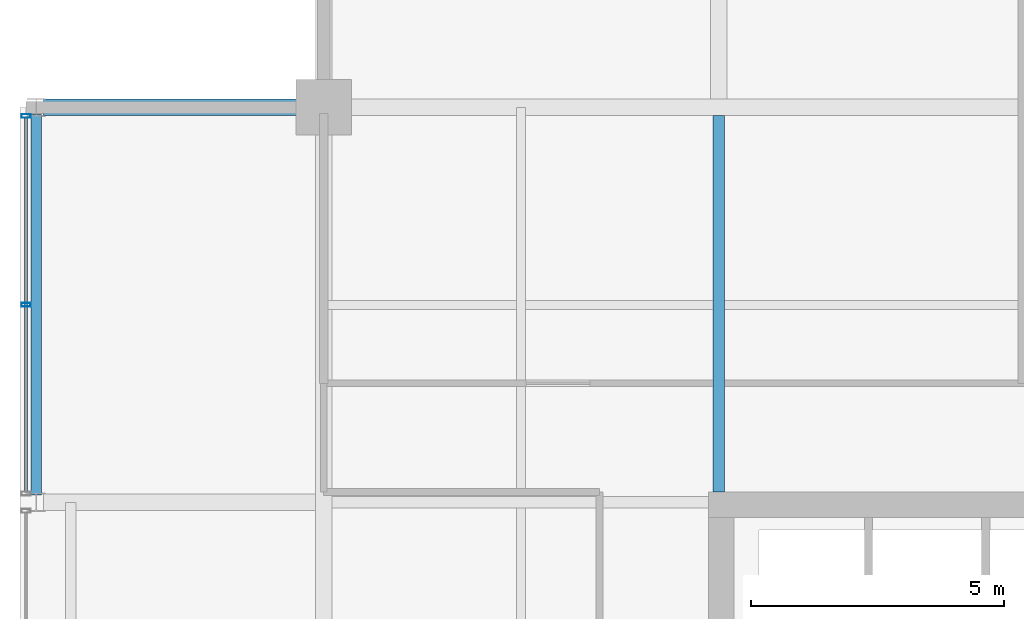
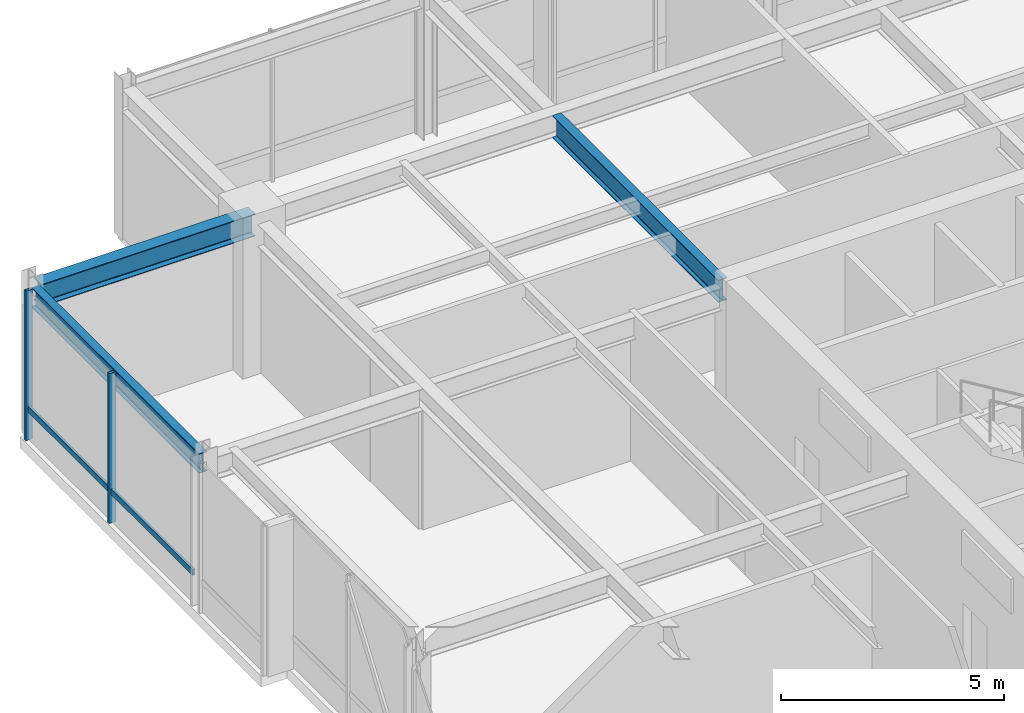
# One storey, part 21 of 34: 3 beams, 3 members, 1 element without a shape of its own.
"""IFC4 building model written with IfcOpenShell, lengths in metres."""

from ifc_helpers import new_model, si_unit, direction, frame, origin, origin_2d, place, context, subcontext, project, spatial, hollow_rectangle, i_section, extrude, material, layer, layer_set, material_profile, profile_set, type_object, element, aggregate, save


model = new_model("IFC4")

# Units and contexts
model_context = context("Model", 3, precision=1e-05, world=origin(), true_north=direction((0.0, 1.0)))
body_context = subcontext(model_context, "Body", "Model", "MODEL_VIEW")
ifc_project = project(units=[si_unit("LENGTHUNIT", "METRE"), si_unit("AREAUNIT", "SQUARE_METRE"), si_unit("VOLUMEUNIT", "CUBIC_METRE"), si_unit("PLANEANGLEUNIT", "RADIAN"), si_unit("MASSUNIT", "GRAM", prefix="KILO")], contexts=[model_context])

# Site, building, storey
site_placement = place(None, origin())
site = spatial("IfcSite", under=ifc_project, at=site_placement, CompositionType="ELEMENT")
building_placement = place(site_placement, origin())
building = spatial("IfcBuilding", under=site, at=building_placement, Name="Drelvath Grand Hotel", CompositionType="ELEMENT")
storey_placement = place(building_placement, frame((0.0, 0.0, 294.199951171875)))
storey = spatial("IfcBuildingStorey", under=building, at=storey_placement, Name="L77", CompositionType="ELEMENT", Elevation=294.199951171875)

# Curtain wall, members
ifc_material_1 = material(Name="Platinum-Mist Anodised Aluminium Frame", Category="aluminium")
ifc_layer = layer(ifc_material_1, 0.199951171875)
ifc_layer_set = layer_set([ifc_layer], Name="Platinum-Mist Anodised Aluminium Frame")
curtain_wall_type = type_object("IfcCurtainWallType", Name="Stick Curtain Wall CW-05 Platinum Mist High-Rise", PredefinedType="NOTDEFINED", material=ifc_layer_set)
curtain_wall_placement = place(storey_placement, origin())
curtain_wall = element("IfcCurtainWall", 1, at=curtain_wall_placement, inside=storey, type_object=curtain_wall_type, Name="L77 CW-05 Curtain Wall CW05-L77-WN2", PredefinedType="NOTDEFINED")
ifc_material_profile_1 = material_profile(ifc_material_1, hollow_rectangle(XDim=0.06494140625, YDim=0.159912109375, WallThickness=0.00390625, at=origin_2d()), Name="HSS160X65X4")
ifc_profile_set_1 = profile_set([ifc_material_profile_1], Name="Platinum-Mist Anodised Aluminium Frame")
member_type_1 = type_object("IfcMemberType", Name="Curtain Wall Horizontal Transom CW-05 HSS160X65X4", PredefinedType="USERDEFINED", material=ifc_profile_set_1)
member_1_placement = place(storey_placement, frame((-22.080078125, 35.610107421875, 0.85009765625), z_axis=(0.0, 1.0, 0.0), x_axis=(-1.0, 0.0, 0.0)))
member_1 = element("IfcMember", 2, at=member_1_placement, type_object=member_type_1, Name="CW05-L77-WN2 Sill Transom", ObjectType="TRANSOM", PredefinedType="USERDEFINED", context=body_context, shape_type="SweptSolid", body=[
    extrude(hollow_rectangle(XDim=0.06494140625, YDim=0.159912109375, WallThickness=0.00390625, at=origin_2d()), origin(), (0.0, 0.0, 1.0), 7.3798828125),
])
ifc_material_profile_2 = material_profile(ifc_material_1, hollow_rectangle(XDim=0.074951171875, YDim=0.179931640625, WallThickness=0.0048828125, at=origin_2d()), Name="HSS180X75X5")
ifc_profile_set_2 = profile_set([ifc_material_profile_2], Name="Platinum-Mist Anodised Aluminium Frame")
member_type_2 = type_object("IfcMemberType", Name="Curtain Wall Vertical Mullion CW-05 HSS180X75X5", PredefinedType="MULLION", material=ifc_profile_set_2)
member_2_placement = place(storey_placement, frame((-22.080078125, 39.300048828125, 0.0), z_axis=(0.0, 0.0, 1.0), x_axis=(0.0, 1.0, 0.0)))
member_2 = element("IfcMember", 3, at=member_2_placement, type_object=member_type_2, Name="CW05-L77-WN2 Mullion 2", PredefinedType="MULLION", context=body_context, shape_type="SweptSolid", body=[
    extrude(hollow_rectangle(XDim=0.074951171875, YDim=0.179931640625, WallThickness=0.0048828125, at=origin_2d()), origin(), (0.0, 0.0, 1.0), 4.10009765625),
])
member_3_placement = place(storey_placement, frame((-22.080078125, 43.030029296875, 0.0), z_axis=(0.0, 0.0, 1.0), x_axis=(0.0, 1.0, 0.0)))
member_3 = element("IfcMember", 4, at=member_3_placement, type_object=member_type_2, Name="CW05-L77-WN2 Mullion 3", PredefinedType="MULLION", context=body_context, shape_type="SweptSolid", body=[
    extrude(hollow_rectangle(XDim=0.074951171875, YDim=0.179931640625, WallThickness=0.0048828125, at=origin_2d()), origin(), (0.0, 0.0, 1.0), 4.10009765625),
])
aggregate(curtain_wall, [member_2, member_3, member_1])

# Beams
ifc_material_2 = material(Name="Steel ASTM A992 Gr 50", Category="steel")
ifc_material_profile_3 = material_profile(ifc_material_2, i_section(OverallWidth=0.210205078125, OverallDepth=0.53662109375, WebThickness=0.010986328125, FlangeThickness=0.017333984375, FilletRadius=0.01806640625, at=origin_2d()), Name="W21X68")
ifc_profile_set_3 = profile_set([ifc_material_profile_3], Name="Steel ASTM A992 Gr 50")
beam_type_1 = type_object("IfcBeamType", Name="Perimeter Spandrel Beam W21X68", PredefinedType="SPANDREL", material=ifc_profile_set_3)
beam_1_placement = place(storey_placement, frame((-21.8798828125, 35.5400390625, 3.831787109375), z_axis=(0.0, 1.0, 0.0), x_axis=(-1.0, 0.0, 0.0)))
element("IfcBeam", 5, at=beam_1_placement, inside=storey, type_object=beam_type_1, Name="L77 Spandrel West N", PredefinedType="SPANDREL", context=body_context, shape_type="SweptSolid", body=[
    extrude(i_section(OverallWidth=0.210205078125, OverallDepth=0.53662109375, WebThickness=0.010986328125, FlangeThickness=0.017333984375, FilletRadius=0.01806640625, at=origin_2d()), origin(), (0.0, 0.0, 1.0), 7.52001953125),
])
ifc_material_profile_4 = material_profile(ifc_material_2, i_section(OverallWidth=0.323974609375, OverallDepth=0.611083984375, WebThickness=0.0126953125, FlangeThickness=0.01904296875, FilletRadius=0.02197265625, at=origin_2d()), Name="W24X104")
ifc_profile_set_4 = profile_set([ifc_material_profile_4], Name="Steel ASTM A992 Gr 50")
beam_type_2 = type_object("IfcBeamType", Name="Primary Floor Girder W24X104", PredefinedType="BEAM", material=ifc_profile_set_4)
beam_2_placement = place(storey_placement, frame((-21.739990234375, 43.199951171875, 3.79443359375), z_axis=(1.0, 0.0, 0.0), x_axis=(0.0, 1.0, 0.0)))
element("IfcBeam", 6, at=beam_2_placement, inside=storey, type_object=beam_type_2, Name="L77 West Grid Girder G", PredefinedType="BEAM", context=body_context, shape_type="SweptSolid", body=[
    extrude(i_section(OverallWidth=0.323974609375, OverallDepth=0.611083984375, WebThickness=0.0126953125, FlangeThickness=0.01904296875, FilletRadius=0.02197265625, at=origin_2d()), origin(), (0.0, 0.0, 1.0), 5.5400390625),
])
ifc_material_profile_5 = material_profile(ifc_material_2, i_section(OverallWidth=0.228271484375, OverallDepth=0.607666015625, WebThickness=0.01123046875, FlangeThickness=0.017333984375, FilletRadius=0.02001953125, at=origin_2d()), Name="W24X76")
ifc_profile_set_5 = profile_set([ifc_material_profile_5], Name="Steel ASTM A992 Gr 50")
beam_type_3 = type_object("IfcBeamType", Name="Primary Floor Girder W24X76", PredefinedType="BEAM", material=ifc_profile_set_5)
beam_3_placement = place(storey_placement, frame((-8.39990234375, 35.60009765625, 3.796142578125), z_axis=(0.0, 1.0, 0.0), x_axis=(-1.0, 0.0, 0.0)))
element("IfcBeam", 7, at=beam_3_placement, inside=storey, type_object=beam_type_3, Name="L77 North Core Tie 4", PredefinedType="BEAM", context=body_context, shape_type="SweptSolid", body=[
    extrude(i_section(OverallWidth=0.228271484375, OverallDepth=0.607666015625, WebThickness=0.01123046875, FlangeThickness=0.017333984375, FilletRadius=0.02001953125, at=origin_2d()), origin(), (0.0, 0.0, 1.0), 7.43798828125),
])

save(model, "model.ifc")
